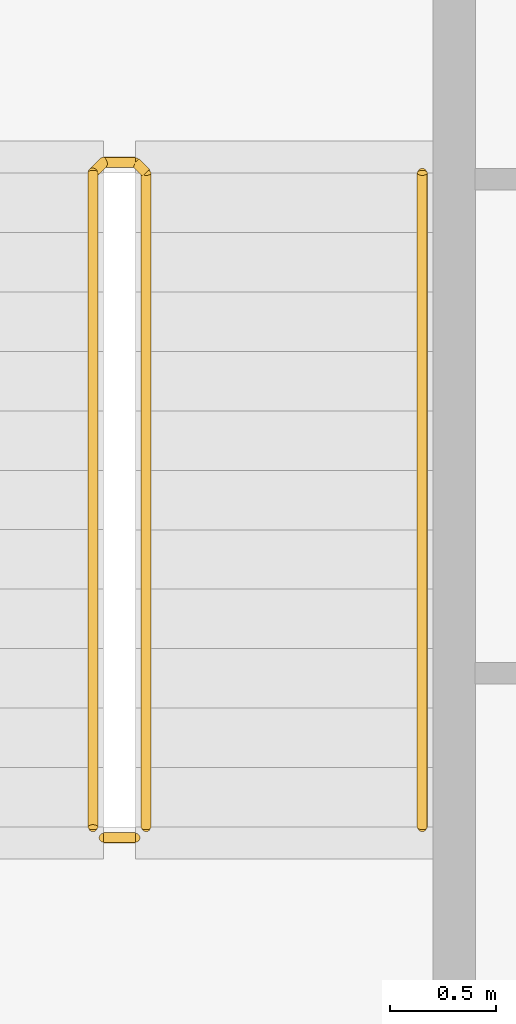
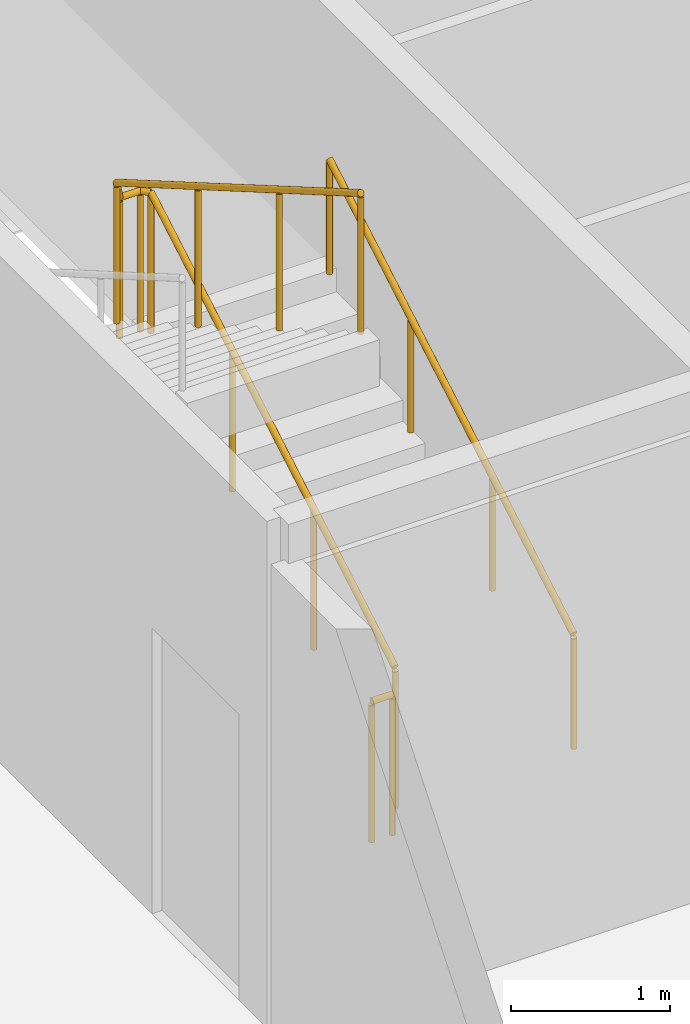
# One storey, part 28 of 29: 3 railings.
"""IFC4 building model written with IfcOpenShell, lengths in metres."""

import ifcopenshell
import ifcopenshell.guid

model = None  # the IFC model being written
_history = None  # IfcOwnerHistory: only IFC2X3 demands one
_inside = {}  # id of a spatial element -> (the spatial element, [elements in it])
_under = {}  # id of a project, library or spatial element -> (it, [spatial elements below it])
_declared = {}  # id of a project -> (the project, [libraries it declares])
_typed = {}  # id of a type object -> (the type object, [elements of that type])
_made_of = {}  # id of a material, layer set ... -> (it, [elements and type objects made of it])


def new_model(schema):
    """Start an empty IFC model of exactly this schema.

    Asked for "IFC4X3", IfcOpenShell would pick the latest addendum, in which some entities
    have other attributes; the version numbers below select the first issue.
    IFC2X3 requires an IfcOwnerHistory on every rooted entity: one is made here for all.
    """
    global model, _history
    if schema == "IFC4X3":
        model = ifcopenshell.file(schema_version=(4, 3, 0, 0))
    else:
        model = ifcopenshell.file(schema=schema)
    _inside.clear()
    _under.clear()
    _declared.clear()
    _typed.clear()
    _made_of.clear()
    _history = None
    if model.schema == "IFC2X3":
        org = make("IfcOrganization", Name="unknown")
        user = make(
            "IfcPersonAndOrganization",
            ThePerson=make("IfcPerson", FamilyName="unknown"),
            TheOrganization=org,
        )
        app = make(
            "IfcApplication",
            ApplicationDeveloper=org,
            Version="unknown",
            ApplicationFullName="unknown",
            ApplicationIdentifier="unknown",
        )
        _history = make(
            "IfcOwnerHistory",
            OwningUser=user,
            OwningApplication=app,
            ChangeAction="ADDED",
            CreationDate=0,
        )
    return model


def make(cls, **values):
    """One entity of the class cls with the attributes given. An attribute that is None is left unset."""
    return model.create_entity(
        cls, **{name: value for name, value in values.items() if value is not None}
    )


def rooted(cls, **values):
    """An entity with a GlobalId (a new one), such as an element, a storey or a relation."""
    return make(cls, GlobalId=ifcopenshell.guid.new(), OwnerHistory=_history, **values)


def si_unit(unit_type, name, prefix=None):
    """IfcSIUnit, for example si_unit("LENGTHUNIT", "METRE", prefix="MILLI")."""
    return make("IfcSIUnit", UnitType=unit_type, Prefix=prefix, Name=name)


def assignment(units):
    """IfcUnitAssignment: the units of a project."""
    return None if units is None else make("IfcUnitAssignment", Units=units)


def point(xyz):
    """IfcCartesianPoint."""
    return None if xyz is None else make("IfcCartesianPoint", Coordinates=xyz)


def direction(xyz):
    """IfcDirection."""
    return None if xyz is None else make("IfcDirection", DirectionRatios=xyz)


def frame(location, z_axis=None, x_axis=None):
    """IfcAxis2Placement3D, a coordinate frame: its origin and axes. An axis left out is left unset."""
    return make(
        "IfcAxis2Placement3D",
        Location=point(location),
        Axis=direction(z_axis),
        RefDirection=direction(x_axis),
    )


def frame_2d(location, x_axis=None):
    """IfcAxis2Placement2D, a coordinate frame in the plane: its origin and x axis."""
    return make(
        "IfcAxis2Placement2D", Location=point(location), RefDirection=direction(x_axis)
    )


def origin():
    """The frame at (0, 0, 0) with its axes left unset."""
    return frame((0.0, 0.0, 0.0))


def origin_2d():
    """The frame at (0, 0) in the plane with its x axis left unset."""
    return frame_2d((0.0, 0.0))


def place(relative_to, where):
    """IfcLocalPlacement: puts the frame where relative to a parent placement (None: the world)."""
    return make(
        "IfcLocalPlacement", PlacementRelTo=relative_to, RelativePlacement=where
    )


def context(
    kind, dimensions, precision=None, world=None, true_north=None, identifier=None
):
    """IfcGeometricRepresentationContext, for example the 3D "Model" context."""
    return make(
        "IfcGeometricRepresentationContext",
        ContextIdentifier=identifier,
        ContextType=kind,
        CoordinateSpaceDimension=dimensions,
        Precision=precision,
        WorldCoordinateSystem=world,
        TrueNorth=true_north,
    )


def subcontext(parent, identifier, kind, view, scale=None):
    """IfcGeometricRepresentationSubContext, for example "Body" below "Model"."""
    return make(
        "IfcGeometricRepresentationSubContext",
        ContextIdentifier=identifier,
        ContextType=kind,
        ParentContext=parent,
        TargetScale=scale,
        TargetView=view,
    )


def project(units=None, contexts=None):
    """IfcProject with its units and contexts."""
    return rooted(
        "IfcProject",
        Name="project",
        RepresentationContexts=contexts,
        UnitsInContext=assignment(units),
    )


def spatial(cls, under=None, at=None, **own):
    """A site, building, storey or space (cls), placed at a placement, below another one or the project."""
    s = rooted(cls, ObjectPlacement=at, **own)
    if under is not None:
        _under.setdefault(under.id(), (under, []))[1].append(s)
    return s


def profile(cls, at=None, kind="AREA", **sizes):
    """A parametric profile (cls). Its sizes go by their IFC names, for example OverallWidth=200.0."""
    return make(cls, ProfileType=kind, Position=at, **sizes)


def circle(**sizes):
    """IfcCircleProfileDef."""
    return profile("IfcCircleProfileDef", **sizes)


def extrude(swept, where, along, depth):
    """IfcExtrudedAreaSolid: the profile swept, set in the frame where, extruded along a direction by depth."""
    return make(
        "IfcExtrudedAreaSolid",
        SweptArea=swept,
        Position=where,
        ExtrudedDirection=direction(along),
        Depth=depth,
    )


def shape(context_of_items, identifier, shape_type, items):
    """IfcShapeRepresentation: the items that make up one representation, for example the "Body"."""
    return make(
        "IfcShapeRepresentation",
        ContextOfItems=context_of_items,
        RepresentationIdentifier=identifier,
        RepresentationType=shape_type,
        Items=items,
    )


def material(Name=None, Category=None):
    """IfcMaterial."""
    return make("IfcMaterial", Name=Name, Category=Category)


def made_of(thing, what):
    """Note that an element or type object is made of a material, layer set ...; save() writes the relation."""
    if what is not None:
        _made_of.setdefault(what.id(), (what, []))[1].append(thing)
    return thing


def type_object(cls, material=None, **own):
    """A type object (cls), such as IfcWallType, which elements share."""
    return made_of(rooted(cls, **own), material)


def element(
    cls,
    number,
    at=None,
    inside=None,
    cuts=None,
    type_object=None,
    material=None,
    context=None,
    identifier="Body",
    shape_type=None,
    held_by="IfcProductDefinitionShape",
    body=None,
    shapes=None,
    **own,
):
    """One element of the class cls, such as IfcWall. Its Tag is "e" and its number.

    at: its placement. inside: the storey or other place that contains it. cuts: it is an
    opening in that element (IfcRelVoidsElement). A single representation is given by context,
    identifier, shape_type and body (its items); several are given by shapes. held_by: the class
    of the entity that holds the representations. save() writes the other relations.
    """
    e = rooted(cls, Tag="e%d" % number, ObjectPlacement=at, **own)
    if body is not None:
        shapes = [shape(context, identifier, shape_type, body)]
    if shapes is not None:
        e.Representation = make(held_by, Representations=shapes)
    if inside is not None:
        _inside.setdefault(inside.id(), (inside, []))[1].append(e)
    if cuts is not None:
        rooted(
            "IfcRelVoidsElement", RelatingBuildingElement=cuts, RelatedOpeningElement=e
        )
    if type_object is not None:
        _typed.setdefault(type_object.id(), (type_object, []))[1].append(e)
    return made_of(e, material)


def aggregate(whole, parts):
    """IfcRelAggregates: a whole, such as a stair, and the parts it consists of."""
    return rooted("IfcRelAggregates", RelatingObject=whole, RelatedObjects=parts)


def save(model, path):
    """Write the relations noted so far, then the file.

    IfcRelAggregates (storeys below a building ...), IfcRelContainedInSpatialStructure (elements
    in a storey), IfcRelDefinesByType, IfcRelAssociatesMaterial and IfcRelDeclares: one each for
    every whole, place, type object, material and project.
    """
    for whole, parts in _under.values():
        aggregate(whole, parts)
    for where, things in _inside.values():
        rooted(
            "IfcRelContainedInSpatialStructure",
            RelatedElements=things,
            RelatingStructure=where,
        )
    for kind, things in _typed.values():
        rooted("IfcRelDefinesByType", RelatedObjects=things, RelatingType=kind)
    for what, things in _made_of.values():
        rooted("IfcRelAssociatesMaterial", RelatedObjects=things, RelatingMaterial=what)
    for by, libraries in _declared.values():
        rooted("IfcRelDeclares", RelatingContext=by, RelatedDefinitions=libraries)
    model.write(path)


model = new_model("IFC4")

# Units and contexts
model_context = context("Model", 3, precision=1e-05, world=origin(), true_north=direction((0.0, 1.0)))
body_context = subcontext(model_context, "Body", "Model", "MODEL_VIEW")
ifc_project = project(units=[si_unit("LENGTHUNIT", "METRE"), si_unit("AREAUNIT", "SQUARE_METRE"), si_unit("VOLUMEUNIT", "CUBIC_METRE"), si_unit("PLANEANGLEUNIT", "RADIAN"), si_unit("MASSUNIT", "GRAM", prefix="KILO")], contexts=[model_context])

# Site, building, storey
site_placement = place(None, origin())
site = spatial("IfcSite", under=ifc_project, at=site_placement, CompositionType="ELEMENT")
building_placement = place(site_placement, origin())
building = spatial("IfcBuilding", under=site, at=building_placement, Name="Kheshtan School and Residences Tower", CompositionType="ELEMENT")
storey_placement = place(building_placement, frame((0.0, 0.0, 65.60009765625)))
storey = spatial("IfcBuildingStorey", under=building, at=storey_placement, Name="L15", CompositionType="ELEMENT", Elevation=65.60009765625)

# Railings
ifc_material_1 = material(Name="Stainless steel balustrade", Category="steel")
railing_type_1 = type_object("IfcRailingType", Name="Stair guard 1100", PredefinedType="GUARDRAIL", material=ifc_material_1)
railing_1_placement = place(storey_placement, frame((35.0, 80.89990234375, 0.162353515625)))
element("IfcRailing", 1, at=railing_1_placement, inside=storey, type_object=railing_type_1, Name="L15 ST3 stair guard 1", PredefinedType="GUARDRAIL", context=body_context, shape_type="SweptSolid", body=[
    extrude(circle(Radius=0.02392578125, at=origin_2d()), frame((0.0, 0.0, 1.076171875), z_axis=(0.0, 0.864890721111, 0.501960198159), x_axis=(-1.0, 0.0, 0.0)), (0.0, 0.0, 1.0), 3.561279296875),
    extrude(circle(Radius=0.02392578125, at=origin_2d()), frame((0.0, 3.080078125, 2.86376953125), z_axis=(-0.707106781187, 0.707106781187, 0.0), x_axis=(-0.707106781187, -0.707106781187, 0.0)), (0.0, 0.0, 1.0), 0.07080078125),
    extrude(circle(Radius=0.02392578125, at=origin_2d()), frame((-0.050048828125, 3.130126953125, 2.86376953125), z_axis=(-1.0, 0.0, 0.0), x_axis=(0.0, -1.0, 0.0)), (0.0, 0.0, 1.0), 0.14990234375),
    extrude(circle(Radius=0.02392578125, at=origin_2d()), frame((-0.199951171875, 3.130126953125, 2.86376953125), z_axis=(-0.282583949758, -0.282583949758, 0.916674763849), x_axis=(0.707106781187, -0.707106781187, 0.0)), (0.0, 0.0, 1.0), 0.177001953125),
    extrude(circle(Radius=0.02392578125, at=origin_2d()), frame((-0.25, 3.080078125, 3.02587890625), z_axis=(0.0, -0.864890721111, 0.501960198159), x_axis=(1.0, 0.0, 0.0)), (0.0, 0.0, 1.0), 3.561279296875),
    extrude(circle(Radius=0.02099609375, at=origin_2d()), origin(), (0.0, 0.0, 1.0), 1.052001953125),
    extrude(circle(Radius=0.02099609375, at=origin_2d()), frame((0.0, 1.026611328125, 0.595947265625)), (0.0, 0.0, 1.0), 1.052001953125),
    extrude(circle(Radius=0.02099609375, at=origin_2d()), frame((0.0, 2.053466796875, 1.191650390625)), (0.0, 0.0, 1.0), 1.052001953125),
    extrude(circle(Radius=0.02099609375, at=origin_2d()), frame((0.0, 3.080078125, 1.78759765625)), (0.0, 0.0, 1.0), 1.052001953125),
    extrude(circle(Radius=0.02099609375, at=origin_2d()), frame((-0.050048828125, 3.130126953125, 1.78759765625)), (0.0, 0.0, 1.0), 1.052001953125),
    extrude(circle(Radius=0.02099609375, at=origin_2d()), frame((-0.199951171875, 3.130126953125, 1.78759765625)), (0.0, 0.0, 1.0), 1.052001953125),
    extrude(circle(Radius=0.02099609375, at=origin_2d()), frame((-0.25, 3.080078125, 1.949951171875)), (0.0, 0.0, 1.0), 1.052001953125),
    extrude(circle(Radius=0.02099609375, at=origin_2d()), frame((-0.25, 2.053466796875, 2.5458984375)), (0.0, 0.0, 1.0), 1.052001953125),
    extrude(circle(Radius=0.02099609375, at=origin_2d()), frame((-0.25, 1.026611328125, 3.1416015625)), (0.0, 0.0, 1.0), 1.052001953125),
    extrude(circle(Radius=0.02099609375, at=origin_2d()), frame((-0.25, 0.0, 3.737548828125)), (0.0, 0.0, 1.0), 1.052001953125),
])
railing_2_placement = place(storey_placement, frame((34.949951171875, 80.85009765625, 0.0)))
element("IfcRailing", 2, at=railing_2_placement, inside=storey, type_object=railing_type_1, Name="L15 ST3 stair guard 2", PredefinedType="GUARDRAIL", context=body_context, shape_type="SweptSolid", body=[
    extrude(circle(Radius=0.02392578125, at=origin_2d()), frame((0.0, 0.0, 1.076171875), z_axis=(-1.0, 0.0, 0.0), x_axis=(0.0, -1.0, 0.0)), (0.0, 0.0, 1.0), 0.14990234375),
    extrude(circle(Radius=0.02099609375, at=origin_2d()), origin(), (0.0, 0.0, 1.0), 1.052001953125),
    extrude(circle(Radius=0.02099609375, at=origin_2d()), frame((-0.14990234375, 0.0, 0.0)), (0.0, 0.0, 1.0), 1.052001953125),
])
ifc_material_2 = material(Name="Stainless steel handrail", Category="steel")
railing_type_2 = type_object("IfcRailingType", Name="Stair handrail 900", PredefinedType="HANDRAIL", material=ifc_material_2)
railing_3_placement = place(storey_placement, frame((36.300048828125, 80.89990234375, 0.162353515625)))
element("IfcRailing", 3, at=railing_3_placement, inside=storey, type_object=railing_type_2, Name="L15 ST3 stair handrail 1", PredefinedType="HANDRAIL", context=body_context, shape_type="SweptSolid", body=[
    extrude(circle(Radius=0.02392578125, at=origin_2d()), frame((0.0, 0.0, 0.8759765625), z_axis=(0.0, 0.864890721111, 0.501960198159), x_axis=(-1.0, 0.0, 0.0)), (0.0, 0.0, 1.0), 3.561279296875),
    extrude(circle(Radius=0.02099609375, at=origin_2d()), origin(), (0.0, 0.0, 1.0), 0.851806640625),
    extrude(circle(Radius=0.02099609375, at=origin_2d()), frame((0.0, 1.026611328125, 0.595947265625)), (0.0, 0.0, 1.0), 0.851806640625),
    extrude(circle(Radius=0.02099609375, at=origin_2d()), frame((0.0, 2.053466796875, 1.191650390625)), (0.0, 0.0, 1.0), 0.851806640625),
    extrude(circle(Radius=0.02099609375, at=origin_2d()), frame((0.0, 3.080078125, 1.78759765625)), (0.0, 0.0, 1.0), 0.851806640625),
])

save(model, "model.ifc")
